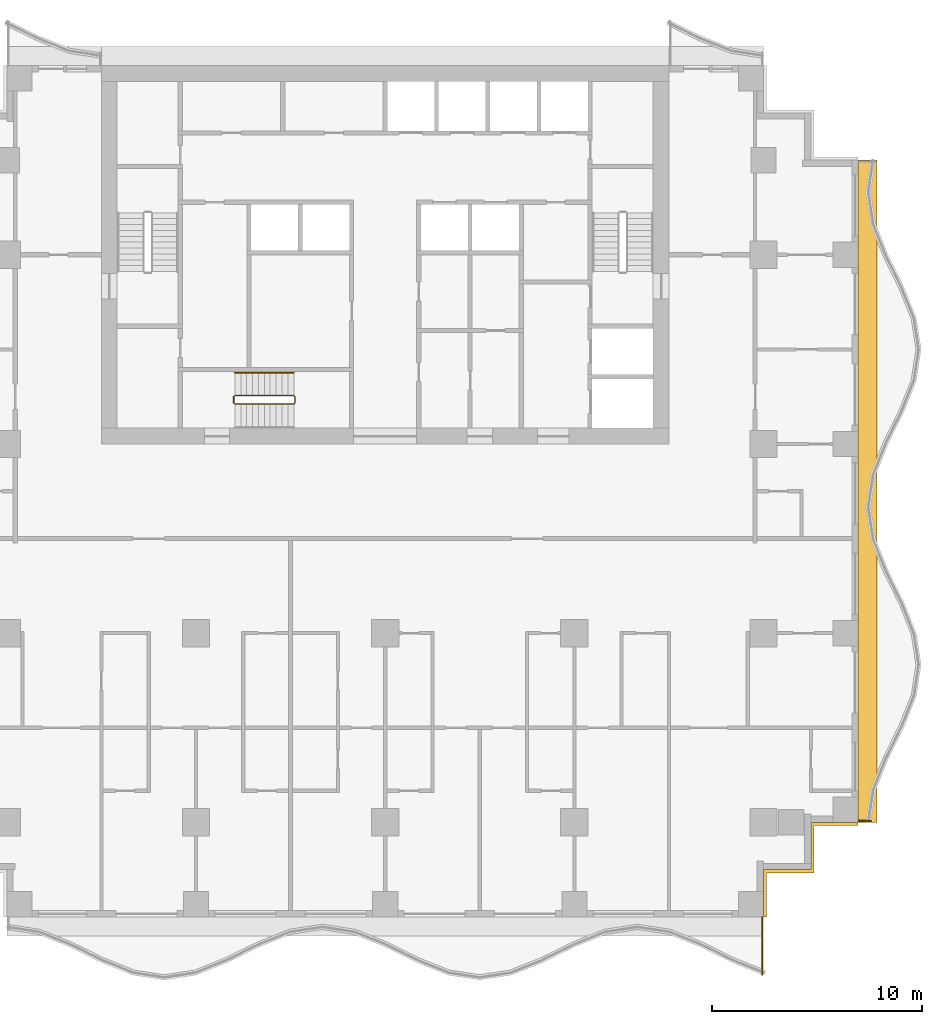
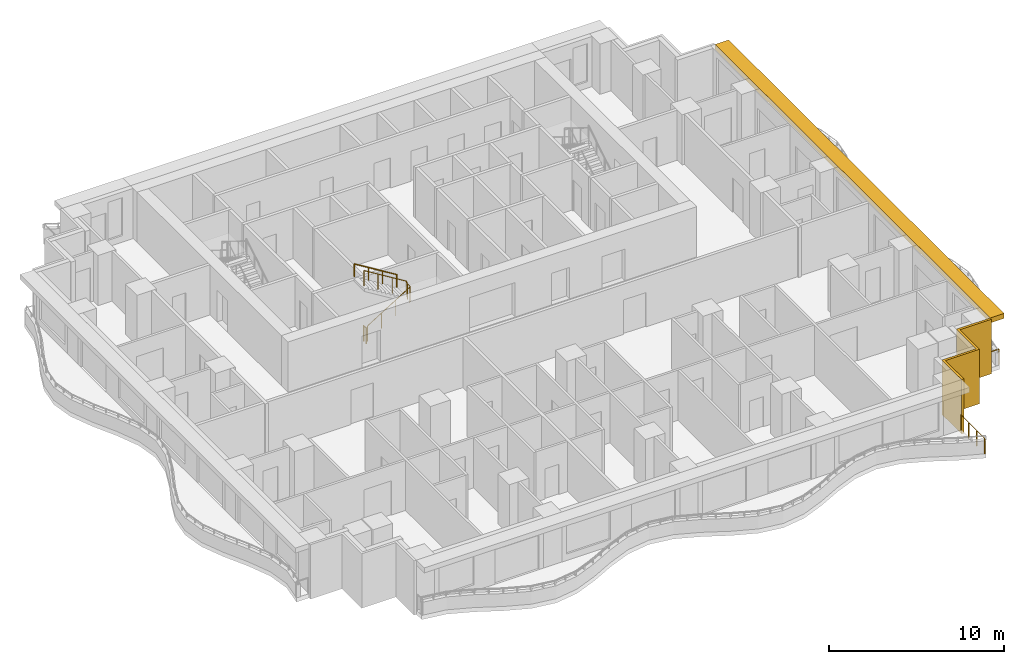
# One storey, part 8 of 10: 5 railings, 2 shading devices.
"""IFC4 building model written with IfcOpenShell, lengths in metres."""

import ifcopenshell
import ifcopenshell.guid

model = None  # the IFC model being written
_history = None  # IfcOwnerHistory: only IFC2X3 demands one
_inside = {}  # id of a spatial element -> (the spatial element, [elements in it])
_under = {}  # id of a project, library or spatial element -> (it, [spatial elements below it])
_declared = {}  # id of a project -> (the project, [libraries it declares])
_typed = {}  # id of a type object -> (the type object, [elements of that type])
_made_of = {}  # id of a material, layer set ... -> (it, [elements and type objects made of it])


def new_model(schema):
    """Start an empty IFC model of exactly this schema.

    Asked for "IFC4X3", IfcOpenShell would pick the latest addendum, in which some entities
    have other attributes; the version numbers below select the first issue.
    IFC2X3 requires an IfcOwnerHistory on every rooted entity: one is made here for all.
    """
    global model, _history
    if schema == "IFC4X3":
        model = ifcopenshell.file(schema_version=(4, 3, 0, 0))
    else:
        model = ifcopenshell.file(schema=schema)
    _inside.clear()
    _under.clear()
    _declared.clear()
    _typed.clear()
    _made_of.clear()
    _history = None
    if model.schema == "IFC2X3":
        org = make("IfcOrganization", Name="unknown")
        user = make(
            "IfcPersonAndOrganization",
            ThePerson=make("IfcPerson", FamilyName="unknown"),
            TheOrganization=org,
        )
        app = make(
            "IfcApplication",
            ApplicationDeveloper=org,
            Version="unknown",
            ApplicationFullName="unknown",
            ApplicationIdentifier="unknown",
        )
        _history = make(
            "IfcOwnerHistory",
            OwningUser=user,
            OwningApplication=app,
            ChangeAction="ADDED",
            CreationDate=0,
        )
    return model


def make(cls, **values):
    """One entity of the class cls with the attributes given. An attribute that is None is left unset."""
    return model.create_entity(
        cls, **{name: value for name, value in values.items() if value is not None}
    )


def rooted(cls, **values):
    """An entity with a GlobalId (a new one), such as an element, a storey or a relation."""
    return make(cls, GlobalId=ifcopenshell.guid.new(), OwnerHistory=_history, **values)


def si_unit(unit_type, name, prefix=None):
    """IfcSIUnit, for example si_unit("LENGTHUNIT", "METRE", prefix="MILLI")."""
    return make("IfcSIUnit", UnitType=unit_type, Prefix=prefix, Name=name)


def assignment(units):
    """IfcUnitAssignment: the units of a project."""
    return None if units is None else make("IfcUnitAssignment", Units=units)


def point(xyz):
    """IfcCartesianPoint."""
    return None if xyz is None else make("IfcCartesianPoint", Coordinates=xyz)


def direction(xyz):
    """IfcDirection."""
    return None if xyz is None else make("IfcDirection", DirectionRatios=xyz)


def frame(location, z_axis=None, x_axis=None):
    """IfcAxis2Placement3D, a coordinate frame: its origin and axes. An axis left out is left unset."""
    return make(
        "IfcAxis2Placement3D",
        Location=point(location),
        Axis=direction(z_axis),
        RefDirection=direction(x_axis),
    )


def frame_2d(location, x_axis=None):
    """IfcAxis2Placement2D, a coordinate frame in the plane: its origin and x axis."""
    return make(
        "IfcAxis2Placement2D", Location=point(location), RefDirection=direction(x_axis)
    )


def origin():
    """The frame at (0, 0, 0) with its axes left unset."""
    return frame((0.0, 0.0, 0.0))


def origin_2d():
    """The frame at (0, 0) in the plane with its x axis left unset."""
    return frame_2d((0.0, 0.0))


def place(relative_to, where):
    """IfcLocalPlacement: puts the frame where relative to a parent placement (None: the world)."""
    return make(
        "IfcLocalPlacement", PlacementRelTo=relative_to, RelativePlacement=where
    )


def context(
    kind, dimensions, precision=None, world=None, true_north=None, identifier=None
):
    """IfcGeometricRepresentationContext, for example the 3D "Model" context."""
    return make(
        "IfcGeometricRepresentationContext",
        ContextIdentifier=identifier,
        ContextType=kind,
        CoordinateSpaceDimension=dimensions,
        Precision=precision,
        WorldCoordinateSystem=world,
        TrueNorth=true_north,
    )


def subcontext(parent, identifier, kind, view, scale=None):
    """IfcGeometricRepresentationSubContext, for example "Body" below "Model"."""
    return make(
        "IfcGeometricRepresentationSubContext",
        ContextIdentifier=identifier,
        ContextType=kind,
        ParentContext=parent,
        TargetScale=scale,
        TargetView=view,
    )


def project(units=None, contexts=None):
    """IfcProject with its units and contexts."""
    return rooted(
        "IfcProject",
        Name="project",
        RepresentationContexts=contexts,
        UnitsInContext=assignment(units),
    )


def spatial(cls, under=None, at=None, **own):
    """A site, building, storey or space (cls), placed at a placement, below another one or the project."""
    s = rooted(cls, ObjectPlacement=at, **own)
    if under is not None:
        _under.setdefault(under.id(), (under, []))[1].append(s)
    return s


def polyline(points):
    """IfcPolyline through the points."""
    return make("IfcPolyline", Points=[point(p) for p in points])


def profile(cls, at=None, kind="AREA", **sizes):
    """A parametric profile (cls). Its sizes go by their IFC names, for example OverallWidth=200.0."""
    return make(cls, ProfileType=kind, Position=at, **sizes)


def rectangle(**sizes):
    """IfcRectangleProfileDef."""
    return profile("IfcRectangleProfileDef", **sizes)


def circle(**sizes):
    """IfcCircleProfileDef."""
    return profile("IfcCircleProfileDef", **sizes)


def outline(outer, holes=None, kind="AREA"):
    """IfcArbitraryClosedProfileDef: a profile drawn as a closed curve; with holes, ...WithVoids."""
    if holes is None:
        return make("IfcArbitraryClosedProfileDef", ProfileType=kind, OuterCurve=outer)
    return make(
        "IfcArbitraryProfileDefWithVoids",
        ProfileType=kind,
        OuterCurve=outer,
        InnerCurves=holes,
    )


def extrude(swept, where, along, depth):
    """IfcExtrudedAreaSolid: the profile swept, set in the frame where, extruded along a direction by depth."""
    return make(
        "IfcExtrudedAreaSolid",
        SweptArea=swept,
        Position=where,
        ExtrudedDirection=direction(along),
        Depth=depth,
    )


def shape(context_of_items, identifier, shape_type, items):
    """IfcShapeRepresentation: the items that make up one representation, for example the "Body"."""
    return make(
        "IfcShapeRepresentation",
        ContextOfItems=context_of_items,
        RepresentationIdentifier=identifier,
        RepresentationType=shape_type,
        Items=items,
    )


def material(Name=None, Category=None):
    """IfcMaterial."""
    return make("IfcMaterial", Name=Name, Category=Category)


def layer(
    of_material, thickness, ventilated=None, Name=None, Category=None, Priority=None
):
    """IfcMaterialLayer: one layer of a wall or slab, of a material (None: an air gap)."""
    return make(
        "IfcMaterialLayer",
        Material=of_material,
        LayerThickness=thickness,
        IsVentilated=ventilated,
        Name=Name,
        Category=Category,
        Priority=Priority,
    )


def layer_set(layers, Name=None):
    """IfcMaterialLayerSet."""
    return make("IfcMaterialLayerSet", MaterialLayers=layers, LayerSetName=Name)


def made_of(thing, what):
    """Note that an element or type object is made of a material, layer set ...; save() writes the relation."""
    if what is not None:
        _made_of.setdefault(what.id(), (what, []))[1].append(thing)
    return thing


def type_object(cls, material=None, **own):
    """A type object (cls), such as IfcWallType, which elements share."""
    return made_of(rooted(cls, **own), material)


def element(
    cls,
    number,
    at=None,
    inside=None,
    cuts=None,
    type_object=None,
    material=None,
    context=None,
    identifier="Body",
    shape_type=None,
    held_by="IfcProductDefinitionShape",
    body=None,
    shapes=None,
    **own,
):
    """One element of the class cls, such as IfcWall. Its Tag is "e" and its number.

    at: its placement. inside: the storey or other place that contains it. cuts: it is an
    opening in that element (IfcRelVoidsElement). A single representation is given by context,
    identifier, shape_type and body (its items); several are given by shapes. held_by: the class
    of the entity that holds the representations. save() writes the other relations.
    """
    e = rooted(cls, Tag="e%d" % number, ObjectPlacement=at, **own)
    if body is not None:
        shapes = [shape(context, identifier, shape_type, body)]
    if shapes is not None:
        e.Representation = make(held_by, Representations=shapes)
    if inside is not None:
        _inside.setdefault(inside.id(), (inside, []))[1].append(e)
    if cuts is not None:
        rooted(
            "IfcRelVoidsElement", RelatingBuildingElement=cuts, RelatedOpeningElement=e
        )
    if type_object is not None:
        _typed.setdefault(type_object.id(), (type_object, []))[1].append(e)
    return made_of(e, material)


def aggregate(whole, parts):
    """IfcRelAggregates: a whole, such as a stair, and the parts it consists of."""
    return rooted("IfcRelAggregates", RelatingObject=whole, RelatedObjects=parts)


def save(model, path):
    """Write the relations noted so far, then the file.

    IfcRelAggregates (storeys below a building ...), IfcRelContainedInSpatialStructure (elements
    in a storey), IfcRelDefinesByType, IfcRelAssociatesMaterial and IfcRelDeclares: one each for
    every whole, place, type object, material and project.
    """
    for whole, parts in _under.values():
        aggregate(whole, parts)
    for where, things in _inside.values():
        rooted(
            "IfcRelContainedInSpatialStructure",
            RelatedElements=things,
            RelatingStructure=where,
        )
    for kind, things in _typed.values():
        rooted("IfcRelDefinesByType", RelatedObjects=things, RelatingType=kind)
    for what, things in _made_of.values():
        rooted("IfcRelAssociatesMaterial", RelatedObjects=things, RelatingMaterial=what)
    for by, libraries in _declared.values():
        rooted("IfcRelDeclares", RelatingContext=by, RelatedDefinitions=libraries)
    model.write(path)


model = new_model("IFC4")

# Units and contexts
model_context = context("Model", 3, precision=1e-05, world=origin(), true_north=direction((0.0, 1.0)))
body_context = subcontext(model_context, "Body", "Model", "MODEL_VIEW")
ifc_project = project(units=[si_unit("LENGTHUNIT", "METRE"), si_unit("AREAUNIT", "SQUARE_METRE"), si_unit("VOLUMEUNIT", "CUBIC_METRE"), si_unit("PLANEANGLEUNIT", "RADIAN"), si_unit("MASSUNIT", "GRAM", prefix="KILO")], contexts=[model_context])

# Site, building, storey
site_placement = place(None, origin())
site = spatial("IfcSite", under=ifc_project, at=site_placement, CompositionType="ELEMENT")
building_placement = place(site_placement, origin())
building = spatial("IfcBuilding", under=site, at=building_placement, Name="Orbiselva Terraces", CompositionType="ELEMENT")
storey_placement = place(building_placement, frame((0.0, 0.0, 136.4)))
storey = spatial("IfcBuildingStorey", under=building, at=storey_placement, Name="L34", CompositionType="ELEMENT", Elevation=136.4)

# Railings
ifc_material_1 = material(Name="Stainless steel", Category="steel")
railing_type_1 = type_object("IfcRailingType", Name="CORE-GUARD-1100", PredefinedType="GUARDRAIL", material=ifc_material_1)
railing_1_placement = place(storey_placement, frame((-7.15, 6.4, 0.172727)))
element("IfcRailing", 1, at=railing_1_placement, inside=storey, type_object=railing_type_1, Name="L34 S3 stair guard 1", PredefinedType="GUARDRAIL", context=body_context, shape_type="SweptSolid", body=[
    extrude(circle(Radius=0.024, at=origin_2d()), frame((0.0, 0.0, 1.081), z_axis=(0.851088519012, 0.0, 0.52502222125), x_axis=(0.0, 1.0, 0.0)), (0.0, 0.0, 1.0), 3.289905),
    extrude(circle(Radius=0.024, at=origin_2d()), frame((2.8, 0.0, 2.808273), z_axis=(0.707106781187, 0.707106781187, 0.0), x_axis=(-0.707106781187, 0.707106781187, 0.0)), (0.0, 0.0, 1.0), 0.070711),
    extrude(circle(Radius=0.024, at=origin_2d()), frame((2.85, 0.05, 2.808273), z_axis=(0.0, 1.0, 0.0), x_axis=(-1.0, 0.0, 0.0)), (0.0, 0.0, 1.0), 0.3),
    extrude(circle(Radius=0.024, at=origin_2d()), frame((2.85, 0.35, 2.808273), z_axis=(-0.267894925557, 0.267894925557, 0.925453736133), x_axis=(-0.707106781187, -0.707106781187, 0.0)), (0.0, 0.0, 1.0), 0.18664),
    extrude(circle(Radius=0.024, at=origin_2d()), frame((2.8, 0.4, 2.981), z_axis=(-0.851088519012, 0.0, 0.52502222125), x_axis=(0.0, -1.0, 0.0)), (0.0, 0.0, 1.0), 3.289905),
    extrude(circle(Radius=0.021, at=origin_2d()), origin(), (0.0, 0.0, 1.0), 1.057),
    extrude(circle(Radius=0.021, at=origin_2d()), frame((0.933333, 0.0, 0.575758)), (0.0, 0.0, 1.0), 1.057),
    extrude(circle(Radius=0.021, at=origin_2d()), frame((1.866667, 0.0, 1.151515)), (0.0, 0.0, 1.0), 1.057),
    extrude(circle(Radius=0.021, at=origin_2d()), frame((2.8, 0.0, 1.727273)), (0.0, 0.0, 1.0), 1.057),
    extrude(circle(Radius=0.021, at=origin_2d()), frame((2.85, 0.05, 1.727273)), (0.0, 0.0, 1.0), 1.057),
    extrude(circle(Radius=0.021, at=origin_2d()), frame((2.85, 0.35, 1.727273)), (0.0, 0.0, 1.0), 1.057),
    extrude(circle(Radius=0.021, at=origin_2d()), frame((2.8, 0.4, 1.9)), (0.0, 0.0, 1.0), 1.057),
    extrude(circle(Radius=0.021, at=origin_2d()), frame((1.866667, 0.4, 2.475758)), (0.0, 0.0, 1.0), 1.057),
    extrude(circle(Radius=0.021, at=origin_2d()), frame((0.933333, 0.4, 3.051515)), (0.0, 0.0, 1.0), 1.057),
    extrude(circle(Radius=0.021, at=origin_2d()), frame((0.0, 0.4, 3.627273)), (0.0, 0.0, 1.0), 1.057),
])
railing_2_placement = place(storey_placement, frame((-7.2, 6.45, 0.0)))
element("IfcRailing", 2, at=railing_2_placement, inside=storey, type_object=railing_type_1, Name="L34 S3 stair guard 2", PredefinedType="GUARDRAIL", context=body_context, shape_type="SweptSolid", body=[
    extrude(circle(Radius=0.024, at=origin_2d()), frame((0.0, 0.0, 1.081), z_axis=(0.0, 1.0, 0.0), x_axis=(-1.0, 0.0, 0.0)), (0.0, 0.0, 1.0), 0.3),
    extrude(circle(Radius=0.021, at=origin_2d()), origin(), (0.0, 0.0, 1.0), 1.057),
    extrude(circle(Radius=0.021, at=origin_2d()), frame((0.0, 0.3, 0.0)), (0.0, 0.0, 1.0), 1.057),
])
railing_type_2 = type_object("IfcRailingType", Name="CORE-HANDRAIL-900", PredefinedType="HANDRAIL", material=ifc_material_1)
railing_3_placement = place(storey_placement, frame((-4.35, 7.9, 2.072727)))
element("IfcRailing", 3, at=railing_3_placement, inside=storey, type_object=railing_type_2, Name="L34 S3 stair handrail 2", PredefinedType="HANDRAIL", context=body_context, shape_type="SweptSolid", body=[
    extrude(circle(Radius=0.024, at=origin_2d()), frame((0.0, 0.0, 0.876), z_axis=(-0.851088519012, 0.0, 0.52502222125), x_axis=(0.0, -1.0, 0.0)), (0.0, 0.0, 1.0), 3.289905),
    extrude(circle(Radius=0.021, at=origin_2d()), origin(), (0.0, 0.0, 1.0), 0.852),
    extrude(circle(Radius=0.021, at=origin_2d()), frame((-0.933333, 0.0, 0.575758)), (0.0, 0.0, 1.0), 0.852),
    extrude(circle(Radius=0.021, at=origin_2d()), frame((-1.866667, 0.0, 1.151515)), (0.0, 0.0, 1.0), 0.852),
    extrude(circle(Radius=0.021, at=origin_2d()), frame((-2.8, 0.0, 1.727273)), (0.0, 0.0, 1.0), 0.852),
])
ifc_material_2 = material(Name="Stainless steel rail and posts", Category="steel")
railing_type_3 = type_object("IfcRailingType", Name="ENV-GUARD-1105", PredefinedType="BALUSTRADE", material=ifc_material_2)
railing_4_placement = place(storey_placement, frame((17.94, -20.752788, 0.0)))
element("IfcRailing", 4, at=railing_4_placement, inside=storey, type_object=railing_type_3, Name="Balcony end guard L34 S", PredefinedType="BALUSTRADE", context=body_context, shape_type="SweptSolid", body=[
    extrude(outline(polyline([(0.028868, 0.0), (0.014434, 0.025), (-0.014434, 0.025), (-0.028868, 0.0), (-0.014434, -0.025), (0.014434, -0.025), (0.028868, 0.0)])), frame((0.0, 0.0, 1.08), z_axis=(0.0, 1.0, 0.0), x_axis=(-1.0, 0.0, 0.0)), (0.0, 0.0, 1.0), 2.727788),
    extrude(rectangle(XDim=0.05, YDim=0.05, at=origin_2d()), origin(), (0.0, 0.0, 1.0), 1.055),
    extrude(rectangle(XDim=0.05, YDim=0.05, at=origin_2d()), frame((0.0, 0.909263, 0.0)), (0.0, 0.0, 1.0), 1.055),
    extrude(rectangle(XDim=0.05, YDim=0.05, at=origin_2d()), frame((0.0, 1.818525, 0.0)), (0.0, 0.0, 1.0), 1.055),
    extrude(rectangle(XDim=0.05, YDim=0.05, at=origin_2d()), frame((0.0, 2.727788, 0.0)), (0.0, 0.0, 1.0), 1.055),
])
railing_5_placement = place(storey_placement, frame((23.100379, -13.44, 0.0)))
element("IfcRailing", 5, at=railing_5_placement, inside=storey, type_object=railing_type_3, Name="Balcony end guard L34 E", PredefinedType="BALUSTRADE", context=body_context, shape_type="SweptSolid", body=[
    extrude(outline(polyline([(0.028868, 0.0), (0.014434, 0.025), (-0.014434, 0.025), (-0.028868, 0.0), (-0.014434, -0.025), (0.014434, -0.025), (0.028868, 0.0)])), frame((0.0, 0.0, 1.08), z_axis=(-1.0, 0.0, 0.0), x_axis=(0.0, -1.0, 0.0)), (0.0, 0.0, 1.0), 0.575379),
    extrude(rectangle(XDim=0.05, YDim=0.05, at=origin_2d()), origin(), (0.0, 0.0, 1.0), 1.055),
    extrude(rectangle(XDim=0.05, YDim=0.05, at=origin_2d()), frame((-0.575379, 0.0, 0.0)), (0.0, 0.0, 1.0), 1.055),
])

# Shading devices
ifc_material_3 = material(Name="Terracotta louvre screen", Category="masonry")
ifc_layer_1 = layer(ifc_material_3, 0.15)
ifc_layer_set_1 = layer_set([ifc_layer_1], Name="Terracotta louvre screen")
shading_device_type_1 = type_object("IfcShadingDeviceType", Name="ENV-SCREEN-150", PredefinedType="USERDEFINED", material=ifc_layer_set_1)
shading_device_1_placement = place(storey_placement, frame((0.0, 0.0, -0.3)))
element("IfcShadingDevice", 6, at=shading_device_1_placement, inside=storey, type_object=shading_device_type_1, Name="Louvre screen L34 SE", ObjectType="SCREEN", PredefinedType="USERDEFINED", context=body_context, shape_type="SweptSolid", body=[
    extrude(outline(polyline([(18.15, -18.0), (18.15, -15.9), (20.4, -15.9), (20.4, -13.65), (22.5, -13.65), (22.5, -13.5), (20.25, -13.5), (20.25, -15.75), (18.0, -15.75), (18.0, -18.0), (18.15, -18.0)])), origin(), (0.0, 0.0, 1.0), 3.8),
])
ifc_material_4 = material(Name="Terracotta baguette sunshade", Category="masonry")
ifc_layer_2 = layer(ifc_material_4, 0.35)
ifc_layer_set_2 = layer_set([ifc_layer_2], Name="Terracotta baguette sunshade")
shading_device_type_2 = type_object("IfcShadingDeviceType", Name="ENV-SUNSHADE-900x350", PredefinedType="USERDEFINED", material=ifc_layer_set_2)
shading_device_2_placement = place(storey_placement, frame((0.0, 0.0, 3.15)))
element("IfcShadingDevice", 7, at=shading_device_2_placement, inside=storey, type_object=shading_device_type_2, Name="Sunshade band L34 E", ObjectType="SUNSHADE", PredefinedType="USERDEFINED", context=body_context, shape_type="SweptSolid", body=[
    extrude(outline(polyline([(23.4, -13.5), (23.4, 18.0), (22.5, 18.0), (22.5, -13.5), (23.4, -13.5)])), origin(), (0.0, 0.0, 1.0), 0.35),
])

save(model, "model.ifc")
